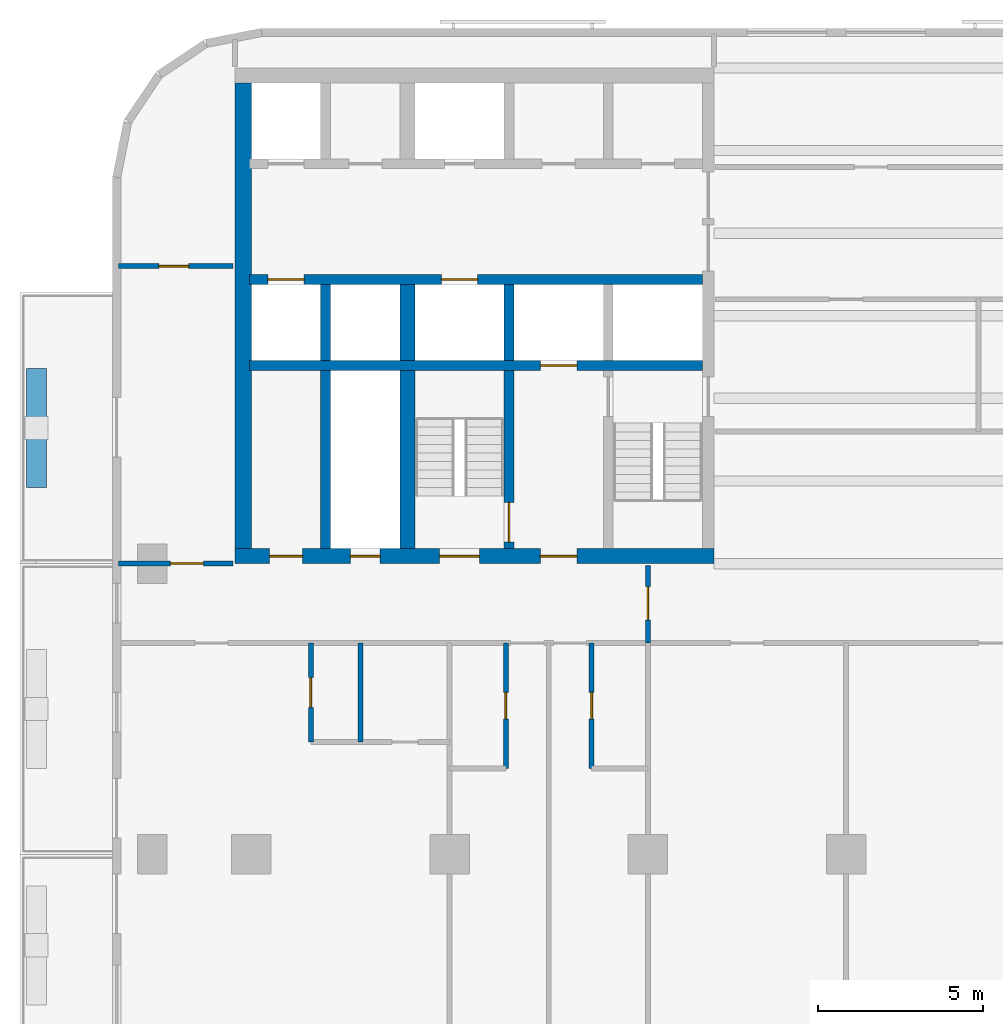
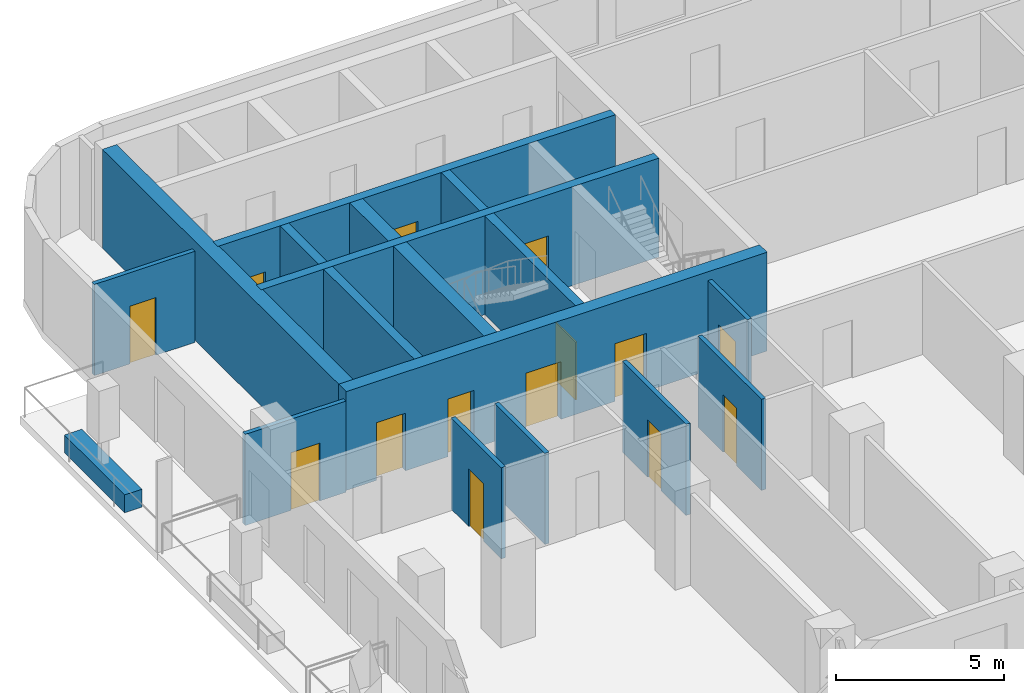
# One storey, part 3 of 11: 18 walls, 14 doors, 14 openings.
"""IFC4 building model written with IfcOpenShell, lengths in metres."""

from ifc_helpers import new_model, si_unit, direction, frame, frame_2d, origin, place, context, subcontext, project, spatial, rectangle, extrude, material, layer, layer_set, type_object, element, fill, save


model = new_model("IFC4")

# Units and contexts
model_context = context("Model", 3, precision=1e-05, world=origin(), true_north=direction((0.0, 1.0)))
body_context = subcontext(model_context, "Body", "Model", "MODEL_VIEW")
ifc_project = project(units=[si_unit("LENGTHUNIT", "METRE"), si_unit("AREAUNIT", "SQUARE_METRE"), si_unit("VOLUMEUNIT", "CUBIC_METRE"), si_unit("PLANEANGLEUNIT", "RADIAN"), si_unit("MASSUNIT", "GRAM", prefix="KILO")], contexts=[model_context])

# Site, building, storey
site_placement = place(None, origin())
site = spatial("IfcSite", under=ifc_project, at=site_placement, CompositionType="ELEMENT")
building_placement = place(site_placement, origin())
building = spatial("IfcBuilding", under=site, at=building_placement, Name="Torana Hotel and Residences", CompositionType="ELEMENT")
storey_placement = place(building_placement, frame((0.0, 0.0, 141.60009765625)))
storey = spatial("IfcBuildingStorey", under=building, at=storey_placement, Name="L36", CompositionType="ELEMENT", Elevation=141.60009765625)

# Wall, openings, doors
ifc_material_1 = material(Name="Concrete C70/85", Category="concrete")
ifc_layer_1 = layer(ifc_material_1, 0.300048828125)
ifc_layer_set_1 = layer_set([ifc_layer_1], Name="CORE WALL 300 C70/85")
wall_type_1 = type_object("IfcWallType", Name="CORE WALL 300 C70/85", PredefinedType="SHEAR", material=ifc_layer_set_1)
wall_1_placement = place(storey_placement, frame((-24.050048828125, -6.39990234375, 0.0), z_axis=(0.0, 0.0, 1.0), x_axis=(1.0, 0.0, 0.0)))
wall_1 = element("IfcWall", 1, at=wall_1_placement, inside=storey, type_object=wall_type_1, Name="Core wall W row-S", PredefinedType="SHEAR", context=body_context, shape_type="SweptSolid", body=[
    extrude(rectangle(XDim=13.699951171875, YDim=0.300048828125, at=frame_2d((6.85009765625, 0.0))), origin(), (0.0, 0.0, 1.0), 3.599853515625),
])
opening_1_placement = place(wall_1_placement, frame((0.550048828125, 0.0, 0.0)))
opening_1 = element("IfcOpeningElement", 2, at=opening_1_placement, cuts=wall_1, Name="Opening LD", PredefinedType="OPENING", context=body_context, shape_type="SweptSolid", body=[
    extrude(rectangle(XDim=1.10009765625, YDim=2.10009765625, at=frame_2d((0.550048828125, 1.050048828125))), frame((0.0, 0.159912109375, 0.0), z_axis=(0.0, -1.0, 0.0), x_axis=(1.0, 0.0, 0.0)), (0.0, 0.0, 1.0), 0.320068359375),
])
opening_2_placement = place(wall_1_placement, frame((5.800048828125, 0.0, 0.0)))
opening_2 = element("IfcOpeningElement", 3, at=opening_2_placement, cuts=wall_1, Name="Opening LD", PredefinedType="OPENING", context=body_context, shape_type="SweptSolid", body=[
    extrude(rectangle(XDim=1.10009765625, YDim=2.10009765625, at=frame_2d((0.550048828125, 1.050048828125))), frame((0.0, 0.159912109375, 0.0), z_axis=(0.0, -1.0, 0.0), x_axis=(1.0, 0.0, 0.0)), (0.0, 0.0, 1.0), 0.320068359375),
])
ifc_material_2 = material(Name="Stainless steel 316", Category="steel")
door_type_1 = type_object("IfcDoorType", Name="LIFT LANDING DOOR LD 1100x2100", OperationType="DOUBLE_DOOR_SLIDING", PredefinedType="USERDEFINED", material=ifc_material_2)
door_1_placement = place(opening_1_placement, origin())
door_1 = element("IfcDoor", 4, at=door_1_placement, inside=storey, type_object=door_type_1, Name="Lift landing door M2 L36", ObjectType="LIFT LANDING DOOR", OperationType="DOUBLE_DOOR_SLIDING", OverallHeight=2.10009765625, OverallWidth=1.10009765625, PredefinedType="USERDEFINED", context=body_context, shape_type="SweptSolid", body=[
    extrude(rectangle(XDim=1.10009765625, YDim=2.10009765625, at=frame_2d((0.550048828125, 1.050048828125))), frame((0.0, 0.02490234375, 0.0), z_axis=(0.0, -1.0, 0.0), x_axis=(1.0, 0.0, 0.0)), (0.0, 0.0, 1.0), 0.050048828125),
])
fill(opening_1, door_1)
door_2_placement = place(opening_2_placement, origin())
door_2 = element("IfcDoor", 5, at=door_2_placement, inside=storey, type_object=door_type_1, Name="Lift landing door SV1 L36", ObjectType="LIFT LANDING DOOR", OperationType="DOUBLE_DOOR_SLIDING", OverallHeight=2.10009765625, OverallWidth=1.10009765625, PredefinedType="USERDEFINED", context=body_context, shape_type="SweptSolid", body=[
    extrude(rectangle(XDim=1.10009765625, YDim=2.10009765625, at=frame_2d((0.550048828125, 1.050048828125))), frame((0.0, 0.02490234375, 0.0), z_axis=(0.0, -1.0, 0.0), x_axis=(1.0, 0.0, 0.0)), (0.0, 0.0, 1.0), 0.050048828125),
])
fill(opening_2, door_2)

# Wall, opening, door
wall_2_placement = place(storey_placement, frame((-24.050048828125, -9.0, 0.0), z_axis=(0.0, 0.0, 1.0), x_axis=(1.0, 0.0, 0.0)))
wall_2 = element("IfcWall", 6, at=wall_2_placement, inside=storey, type_object=wall_type_1, Name="Core wall W band", PredefinedType="SHEAR", context=body_context, shape_type="SweptSolid", body=[
    extrude(rectangle(XDim=13.699951171875, YDim=0.300048828125, at=frame_2d((6.85009765625, 0.0))), origin(), (0.0, 0.0, 1.0), 3.599853515625),
])
opening_3_placement = place(wall_2_placement, frame((8.800048828125, 0.0, 0.0)))
opening_3 = element("IfcOpeningElement", 7, at=opening_3_placement, cuts=wall_2, Name="Opening LD", PredefinedType="OPENING", context=body_context, shape_type="SweptSolid", body=[
    extrude(rectangle(XDim=1.10009765625, YDim=2.10009765625, at=frame_2d((0.550048828125, 1.050048828125))), frame((0.0, 0.159912109375, 0.0), z_axis=(0.0, -1.0, 0.0), x_axis=(1.0, 0.0, 0.0)), (0.0, 0.0, 1.0), 0.320068359375),
])
door_3_placement = place(opening_3_placement, origin())
door_3 = element("IfcDoor", 8, at=door_3_placement, inside=storey, type_object=door_type_1, Name="Lift landing door FF1 L36", ObjectType="LIFT LANDING DOOR", OperationType="DOUBLE_DOOR_SLIDING", OverallHeight=2.10009765625, OverallWidth=1.10009765625, PredefinedType="USERDEFINED", context=body_context, shape_type="SweptSolid", body=[
    extrude(rectangle(XDim=1.10009765625, YDim=2.10009765625, at=frame_2d((0.550048828125, 1.050048828125))), frame((0.0, 0.02490234375, 0.0), z_axis=(0.0, -1.0, 0.0), x_axis=(1.0, 0.0, 0.0)), (0.0, 0.0, 1.0), 0.050048828125),
])
fill(opening_3, door_3)

# Wall
wall_3_placement = place(storey_placement, frame((-16.199951171875, -8.85009765625, 0.0), z_axis=(0.0, 0.0, 1.0), x_axis=(0.0, 1.0, 0.0)))
element("IfcWall", 9, at=wall_3_placement, inside=storey, type_object=wall_type_1, Name="Core wall W x6.05-S", PredefinedType="SHEAR", context=body_context, shape_type="SweptSolid", body=[
    extrude(rectangle(XDim=2.300048828125, YDim=0.300048828125, at=frame_2d((1.14990234375, 0.0))), origin(), (0.0, 0.0, 1.0), 3.599853515625),
])

# Wall, opening, door
wall_4_placement = place(storey_placement, frame((-16.199951171875, -14.550048828125, 0.0), z_axis=(0.0, 0.0, 1.0), x_axis=(0.0, 1.0, 0.0)))
wall_4 = element("IfcWall", 10, at=wall_4_placement, inside=storey, type_object=wall_type_1, Name="Core wall W x6.05-band", PredefinedType="SHEAR", context=body_context, shape_type="SweptSolid", body=[
    extrude(rectangle(XDim=5.400146484375, YDim=0.300048828125, at=frame_2d((2.7001953125, 0.0))), origin(), (0.0, 0.0, 1.0), 3.599853515625),
])
opening_4_placement = place(wall_4_placement, frame((0.199951171875, 0.0, 0.0)))
opening_4 = element("IfcOpeningElement", 11, at=opening_4_placement, cuts=wall_4, Name="Opening L36-13", PredefinedType="OPENING", context=body_context, shape_type="SweptSolid", body=[
    extrude(rectangle(XDim=1.199951171875, YDim=2.10009765625, at=frame_2d((0.60009765625, 1.050048828125))), frame((0.0, 0.159912109375, 0.0), z_axis=(0.0, -1.0, 0.0), x_axis=(1.0, 0.0, 0.0)), (0.0, 0.0, 1.0), 0.320068359375),
])
ifc_material_3 = material(Name="Steel S235", Category="steel")
door_type_2 = type_object("IfcDoorType", Name="STAIR FIRE DOOR D3 1200x2100", OperationType="SINGLE_SWING_LEFT", PredefinedType="DOOR", material=ifc_material_3)
door_4_placement = place(opening_4_placement, origin())
door_4 = element("IfcDoor", 12, at=door_4_placement, inside=storey, type_object=door_type_2, Name="Stair-B-lobby door L36", OperationType="SINGLE_SWING_RIGHT", OverallHeight=2.10009765625, OverallWidth=1.199951171875, PredefinedType="DOOR", context=body_context, shape_type="SweptSolid", body=[
    extrude(rectangle(XDim=1.199951171875, YDim=2.10009765625, at=frame_2d((0.60009765625, 1.050048828125))), frame((0.0, 0.02490234375, 0.0), z_axis=(0.0, -1.0, 0.0), x_axis=(1.0, 0.0, 0.0)), (0.0, 0.0, 1.0), 0.050048828125),
])
fill(opening_4, door_4)

# Walls
wall_5_placement = place(storey_placement, frame((-21.75, -8.85009765625, 0.0), z_axis=(0.0, 0.0, 1.0), x_axis=(0.0, 1.0, 0.0)))
element("IfcWall", 13, at=wall_5_placement, inside=storey, type_object=wall_type_1, Name="Core wall W mm-S", PredefinedType="SHEAR", context=body_context, shape_type="SweptSolid", body=[
    extrude(rectangle(XDim=2.300048828125, YDim=0.300048828125, at=frame_2d((1.14990234375, 0.0))), origin(), (0.0, 0.0, 1.0), 3.599853515625),
])
wall_6_placement = place(storey_placement, frame((-21.75, -14.550048828125, 0.0), z_axis=(0.0, 0.0, 1.0), x_axis=(0.0, 1.0, 0.0)))
element("IfcWall", 14, at=wall_6_placement, inside=storey, type_object=wall_type_1, Name="Core wall W mm-band", PredefinedType="SHEAR", context=body_context, shape_type="SweptSolid", body=[
    extrude(rectangle(XDim=5.400146484375, YDim=0.300048828125, at=frame_2d((2.7001953125, 0.0))), origin(), (0.0, 0.0, 1.0), 3.599853515625),
])

# Wall, openings, doors
ifc_material_4 = material(Name="Concrete C70/85", Category="concrete")
ifc_layer_2 = layer(ifc_material_4, 0.449951171875)
ifc_layer_set_2 = layer_set([ifc_layer_2], Name="CORE WALL 450 C70/85")
wall_type_2 = type_object("IfcWallType", Name="CORE WALL 450 C70/85", PredefinedType="SHEAR", material=ifc_layer_set_2)
wall_7_placement = place(storey_placement, frame((-24.5, -14.77490234375, 0.0), z_axis=(0.0, 0.0, 1.0), x_axis=(1.0, 0.0, 0.0)))
wall_7 = element("IfcWall", 15, at=wall_7_placement, inside=storey, type_object=wall_type_2, Name="Core wall W front", PredefinedType="SHEAR", context=body_context, shape_type="SweptSolid", body=[
    extrude(rectangle(XDim=14.5, YDim=0.449951171875, at=frame_2d((7.25, 0.0))), origin(), (0.0, 0.0, 1.0), 3.599853515625),
])
opening_5_placement = place(wall_7_placement, frame((6.199951171875, 0.0, 0.0)))
opening_5 = element("IfcOpeningElement", 16, at=opening_5_placement, cuts=wall_7, Name="Opening L36-04", PredefinedType="OPENING", context=body_context, shape_type="SweptSolid", body=[
    extrude(rectangle(XDim=1.199951171875, YDim=2.10009765625, at=frame_2d((0.60009765625, 1.050048828125))), frame((0.0, 0.23486328125, 0.0), z_axis=(0.0, -1.0, 0.0), x_axis=(1.0, 0.0, 0.0)), (0.0, 0.0, 1.0), 0.469970703125),
])
opening_6_placement = place(wall_7_placement, frame((9.25, 0.0, 0.0)))
opening_6 = element("IfcOpeningElement", 17, at=opening_6_placement, cuts=wall_7, Name="Opening L36-05", PredefinedType="OPENING", context=body_context, shape_type="SweptSolid", body=[
    extrude(rectangle(XDim=1.10009765625, YDim=2.10009765625, at=frame_2d((0.550048828125, 1.050048828125))), frame((0.0, 0.23486328125, 0.0), z_axis=(0.0, -1.0, 0.0), x_axis=(1.0, 0.0, 0.0)), (0.0, 0.0, 1.0), 0.469970703125),
])
opening_7_placement = place(wall_7_placement, frame((3.5, 0.0, 0.0)))
opening_7 = element("IfcOpeningElement", 18, at=opening_7_placement, cuts=wall_7, Name="Opening L36-06", PredefinedType="OPENING", context=body_context, shape_type="SweptSolid", body=[
    extrude(rectangle(XDim=0.89990234375, YDim=2.10009765625, at=frame_2d((0.449951171875, 1.050048828125))), frame((0.0, 0.23486328125, 0.0), z_axis=(0.0, -1.0, 0.0), x_axis=(1.0, 0.0, 0.0)), (0.0, 0.0, 1.0), 0.469970703125),
])
opening_8_placement = place(wall_7_placement, frame((1.050048828125, 0.0, 0.0)))
opening_8 = element("IfcOpeningElement", 19, at=opening_8_placement, cuts=wall_7, Name="Opening L36-07", PredefinedType="OPENING", context=body_context, shape_type="SweptSolid", body=[
    extrude(rectangle(XDim=1.0, YDim=2.10009765625, at=frame_2d((0.5, 1.050048828125))), frame((0.0, 0.23486328125, 0.0), z_axis=(0.0, -1.0, 0.0), x_axis=(1.0, 0.0, 0.0)), (0.0, 0.0, 1.0), 0.469970703125),
])
ifc_material_5 = material(Name="Steel S235", Category="steel")
door_type_3 = type_object("IfcDoorType", Name="CORE ROOM FIRE DOOR D14 1000x2100", OperationType="SINGLE_SWING_LEFT", PredefinedType="DOOR", material=ifc_material_5)
door_5_placement = place(opening_8_placement, origin())
door_5 = element("IfcDoor", 20, at=door_5_placement, inside=storey, type_object=door_type_3, Name="M-Room door L36", OperationType="SINGLE_SWING_RIGHT", OverallHeight=2.10009765625, OverallWidth=1.0, PredefinedType="DOOR", context=body_context, shape_type="SweptSolid", body=[
    extrude(rectangle(XDim=1.0, YDim=2.10009765625, at=frame_2d((0.5, 1.050048828125))), frame((0.0, 0.02490234375, 0.0), z_axis=(0.0, -1.0, 0.0), x_axis=(1.0, 0.0, 0.0)), (0.0, 0.0, 1.0), 0.050048828125),
])
fill(opening_8, door_5)
ifc_material_6 = material(Name="Steel S235", Category="steel")
door_type_4 = type_object("IfcDoorType", Name="FIRE-FIGHTING LOBBY DOOR D8 1100x2100", OperationType="SINGLE_SWING_LEFT", PredefinedType="DOOR", material=ifc_material_6)
door_6_placement = place(opening_6_placement, origin())
door_6 = element("IfcDoor", 21, at=door_6_placement, inside=storey, type_object=door_type_4, Name="FF-lobby door L36", OperationType="SINGLE_SWING_RIGHT", OverallHeight=2.10009765625, OverallWidth=1.10009765625, PredefinedType="DOOR", context=body_context, shape_type="SweptSolid", body=[
    extrude(rectangle(XDim=1.10009765625, YDim=2.10009765625, at=frame_2d((0.550048828125, 1.050048828125))), frame((0.0, 0.02490234375, 0.0), z_axis=(0.0, -1.0, 0.0), x_axis=(1.0, 0.0, 0.0)), (0.0, 0.0, 1.0), 0.050048828125),
])
fill(opening_6, door_6)
ifc_material_7 = material(Name="Steel S235", Category="steel")
door_type_5 = type_object("IfcDoorType", Name="RISER ACCESS DOOR D5 900x2100", OperationType="SINGLE_SWING_LEFT", PredefinedType="DOOR", material=ifc_material_7)
door_7_placement = place(opening_7_placement, origin())
door_7 = element("IfcDoor", 22, at=door_7_placement, inside=storey, type_object=door_type_5, Name="M-Riser door L36", OperationType="SINGLE_SWING_RIGHT", OverallHeight=2.10009765625, OverallWidth=0.89990234375, PredefinedType="DOOR", context=body_context, shape_type="SweptSolid", body=[
    extrude(rectangle(XDim=0.89990234375, YDim=2.10009765625, at=frame_2d((0.449951171875, 1.050048828125))), frame((0.0, 0.02490234375, 0.0), z_axis=(0.0, -1.0, 0.0), x_axis=(1.0, 0.0, 0.0)), (0.0, 0.0, 1.0), 0.050048828125),
])
fill(opening_7, door_7)
door_8_placement = place(opening_5_placement, origin())
door_8 = element("IfcDoor", 23, at=door_8_placement, inside=storey, type_object=door_type_2, Name="Stair-B door L36", OperationType="SINGLE_SWING_RIGHT", OverallHeight=2.10009765625, OverallWidth=1.199951171875, PredefinedType="DOOR", context=body_context, shape_type="SweptSolid", body=[
    extrude(rectangle(XDim=1.199951171875, YDim=2.10009765625, at=frame_2d((0.60009765625, 1.050048828125))), frame((0.0, 0.02490234375, 0.0), z_axis=(0.0, -1.0, 0.0), x_axis=(1.0, 0.0, 0.0)), (0.0, 0.0, 1.0), 0.050048828125),
])
fill(opening_5, door_8)

# Walls
wall_8_placement = place(storey_placement, frame((-19.27490234375, -8.85009765625, 0.0), z_axis=(0.0, 0.0, 1.0), x_axis=(0.0, 1.0, 0.0)))
element("IfcWall", 24, at=wall_8_placement, inside=storey, type_object=wall_type_2, Name="Core wall W hm-S", PredefinedType="SHEAR", context=body_context, shape_type="SweptSolid", body=[
    extrude(rectangle(XDim=2.300048828125, YDim=0.449951171875, at=frame_2d((1.14990234375, 0.0))), origin(), (0.0, 0.0, 1.0), 3.599853515625),
])
wall_9_placement = place(storey_placement, frame((-19.27490234375, -14.550048828125, 0.0), z_axis=(0.0, 0.0, 1.0), x_axis=(0.0, 1.0, 0.0)))
element("IfcWall", 25, at=wall_9_placement, inside=storey, type_object=wall_type_2, Name="Core wall W hm-band", PredefinedType="SHEAR", context=body_context, shape_type="SweptSolid", body=[
    extrude(rectangle(XDim=5.400146484375, YDim=0.449951171875, at=frame_2d((2.7001953125, 0.0))), origin(), (0.0, 0.0, 1.0), 3.599853515625),
])
ifc_material_8 = material(Name="Concrete C70/85", Category="concrete")
ifc_layer_3 = layer(ifc_material_8, 0.5)
ifc_layer_set_3 = layer_set([ifc_layer_3], Name="CORE WALL 500 C70/85")
wall_type_3 = type_object("IfcWallType", Name="CORE WALL 500 C70/85", PredefinedType="SHEAR", material=ifc_layer_set_3)
wall_10_placement = place(storey_placement, frame((-24.25, -14.550048828125, 0.0), z_axis=(0.0, 0.0, 1.0), x_axis=(0.0, 1.0, 0.0)))
element("IfcWall", 26, at=wall_10_placement, inside=storey, type_object=wall_type_3, Name="Core wall W outer", PredefinedType="SHEAR", context=body_context, shape_type="SweptSolid", body=[
    extrude(rectangle(XDim=14.10009765625, YDim=0.5, at=frame_2d((7.050048828125, 0.0))), origin(), (0.0, 0.0, 1.0), 3.599853515625),
])

# Wall, opening, door
ifc_material_9 = material(Name="Gypsum plaster")
ifc_layer_4 = layer(ifc_material_9, 0.014892578125, Name="Plaster", Category="finish")
ifc_material_10 = material(Name="Concrete blockwork", Category="masonry")
ifc_layer_5 = layer(ifc_material_10, 0.1201171875, Name="Blockwork", Category="structure")
ifc_layer_6 = layer(ifc_material_9, 0.014892578125, Name="Plaster", Category="finish")
ifc_layer_set_4 = layer_set([ifc_layer_4, ifc_layer_5, ifc_layer_6], Name="FIRE PARTITION 150 BLOCKWORK")
wall_type_4 = type_object("IfcWallType", Name="FIRE PARTITION 150 BLOCKWORK", PredefinedType="PARTITIONING", material=ifc_layer_set_4)
wall_11_placement = place(storey_placement, frame((-12.0, -17.39990234375, 0.0), z_axis=(0.0, 0.0, 1.0), x_axis=(0.0, 1.0, 0.0)))
wall_11 = element("IfcWall", 27, at=wall_11_placement, inside=storey, type_object=wall_type_4, Name="Partition L36", PredefinedType="PARTITIONING", context=body_context, shape_type="SweptSolid", body=[
    extrude(rectangle(XDim=2.349853515625, YDim=0.14990234375, at=frame_2d((1.1748046875, 0.0))), origin(), (0.0, 0.0, 1.0), 3.31982421875),
])
opening_9_placement = place(wall_11_placement, frame((0.699951171875, 0.0, 0.0)))
opening_9 = element("IfcOpeningElement", 28, at=opening_9_placement, cuts=wall_11, Name="Opening L36-27", PredefinedType="OPENING", context=body_context, shape_type="SweptSolid", body=[
    extrude(rectangle(XDim=1.0, YDim=2.10009765625, at=frame_2d((0.5, 1.050048828125))), frame((0.0, 0.0849609375, 0.0), z_axis=(0.0, -1.0, 0.0), x_axis=(1.0, 0.0, 0.0)), (0.0, 0.0, 1.0), 0.169921875),
])
ifc_material_11 = material(Name="Steel S235", Category="steel")
door_type_6 = type_object("IfcDoorType", Name="ENTRY FIRE DOOR D6 1000x2100", OperationType="SINGLE_SWING_LEFT", PredefinedType="DOOR", material=ifc_material_11)
door_9_placement = place(opening_9_placement, origin())
door_9 = element("IfcDoor", 29, at=door_9_placement, inside=storey, type_object=door_type_6, Name="Door L36", OperationType="SINGLE_SWING_RIGHT", OverallHeight=2.10009765625, OverallWidth=1.0, PredefinedType="DOOR", context=body_context, shape_type="SweptSolid", body=[
    extrude(rectangle(XDim=1.0, YDim=2.10009765625, at=frame_2d((0.5, 1.050048828125))), frame((0.0, 0.02490234375, 0.0), z_axis=(0.0, -1.0, 0.0), x_axis=(1.0, 0.0, 0.0)), (0.0, 0.0, 1.0), 0.050048828125),
])
fill(opening_9, door_9)

wall_12_placement = place(storey_placement, frame((-28.02001953125, -15.0, 0.0), z_axis=(0.0, 0.0, 1.0), x_axis=(1.0, 0.0, 0.0)))
wall_12 = element("IfcWall", 30, at=wall_12_placement, inside=storey, type_object=wall_type_4, Name="Partition L36", PredefinedType="PARTITIONING", context=body_context, shape_type="SweptSolid", body=[
    extrude(rectangle(XDim=3.469970703125, YDim=0.14990234375, at=frame_2d((1.73486328125, 0.0))), origin(), (0.0, 0.0, 1.0), 3.31982421875),
])
opening_10_placement = place(wall_12_placement, frame((1.570068359375, 0.0, 0.0)))
opening_10 = element("IfcOpeningElement", 31, at=opening_10_placement, cuts=wall_12, Name="Opening L36-31", PredefinedType="OPENING", context=body_context, shape_type="SweptSolid", body=[
    extrude(rectangle(XDim=1.0, YDim=2.10009765625, at=frame_2d((0.5, 1.050048828125))), frame((0.0, 0.0849609375, 0.0), z_axis=(0.0, -1.0, 0.0), x_axis=(1.0, 0.0, 0.0)), (0.0, 0.0, 1.0), 0.169921875),
])
door_10_placement = place(opening_10_placement, origin())
door_10 = element("IfcDoor", 32, at=door_10_placement, inside=storey, type_object=door_type_3, Name="Door L36", OperationType="SINGLE_SWING_RIGHT", OverallHeight=2.10009765625, OverallWidth=1.0, PredefinedType="DOOR", context=body_context, shape_type="SweptSolid", body=[
    extrude(rectangle(XDim=1.0, YDim=2.10009765625, at=frame_2d((0.5, 1.050048828125))), frame((0.0, 0.02490234375, 0.0), z_axis=(0.0, -1.0, 0.0), x_axis=(1.0, 0.0, 0.0)), (0.0, 0.0, 1.0), 0.050048828125),
])
fill(opening_10, door_10)

ifc_material_12 = material(Name="Gypsum plasterboard")
ifc_layer_7 = layer(ifc_material_12, 0.012451171875, Name="Plasterboard", Category="finish")
ifc_layer_8 = layer(ifc_material_12, 0.012451171875, Name="Plasterboard", Category="finish")
ifc_material_13 = material(Name="Steel S280GD", Category="steel")
ifc_layer_9 = layer(ifc_material_13, 0.10009765625, Name="Steel studs with mineral wool", Category="insulation")
ifc_layer_10 = layer(ifc_material_12, 0.012451171875, Name="Plasterboard", Category="finish")
ifc_layer_11 = layer(ifc_material_12, 0.012451171875, Name="Plasterboard", Category="finish")
ifc_layer_set_5 = layer_set([ifc_layer_7, ifc_layer_8, ifc_layer_9, ifc_layer_10, ifc_layer_11], Name="PARTITION 150 PLASTERBOARD")
wall_type_5 = type_object("IfcWallType", Name="PARTITION 150 PLASTERBOARD", PredefinedType="PARTITIONING", material=ifc_layer_set_5)
wall_13_placement = place(storey_placement, frame((-13.699951171875, -21.199951171875, 0.0), z_axis=(0.0, 0.0, 1.0), x_axis=(0.0, 1.0, 0.0)))
wall_13 = element("IfcWall", 33, at=wall_13_placement, inside=storey, type_object=wall_type_5, Name="Partition L36", PredefinedType="PARTITIONING", context=body_context, shape_type="SweptSolid", body=[
    extrude(rectangle(XDim=3.800048828125, YDim=0.14990234375, at=frame_2d((1.89990234375, 0.0))), origin(), (0.0, 0.0, 1.0), 3.31982421875),
])
opening_11_placement = place(wall_13_placement, frame((1.5, 0.0, 0.0)))
opening_11 = element("IfcOpeningElement", 34, at=opening_11_placement, cuts=wall_13, Name="Opening L36-47", PredefinedType="OPENING", context=body_context, shape_type="SweptSolid", body=[
    extrude(rectangle(XDim=0.800048828125, YDim=2.10009765625, at=frame_2d((0.39990234375, 1.050048828125))), frame((0.0, 0.0849609375, 0.0), z_axis=(0.0, -1.0, 0.0), x_axis=(1.0, 0.0, 0.0)), (0.0, 0.0, 1.0), 0.169921875),
])
ifc_material_14 = material(Name="Timber door, painted", Category="wood")
door_type_7 = type_object("IfcDoorType", Name="BATH DOOR D13 800x2100", OperationType="SINGLE_SWING_LEFT", PredefinedType="DOOR", material=ifc_material_14)
door_11_placement = place(opening_11_placement, origin())
door_11 = element("IfcDoor", 35, at=door_11_placement, inside=storey, type_object=door_type_7, Name="Door L36", OperationType="SINGLE_SWING_RIGHT", OverallHeight=2.10009765625, OverallWidth=0.800048828125, PredefinedType="DOOR", context=body_context, shape_type="SweptSolid", body=[
    extrude(rectangle(XDim=0.800048828125, YDim=2.10009765625, at=frame_2d((0.39990234375, 1.050048828125))), frame((0.0, 0.02490234375, 0.0), z_axis=(0.0, -1.0, 0.0), x_axis=(1.0, 0.0, 0.0)), (0.0, 0.0, 1.0), 0.050048828125),
])
fill(opening_11, door_11)

wall_14_placement = place(storey_placement, frame((-16.300048828125, -21.199951171875, 0.0), z_axis=(0.0, 0.0, 1.0), x_axis=(0.0, 1.0, 0.0)))
wall_14 = element("IfcWall", 36, at=wall_14_placement, inside=storey, type_object=wall_type_5, Name="Partition L36", PredefinedType="PARTITIONING", context=body_context, shape_type="SweptSolid", body=[
    extrude(rectangle(XDim=3.800048828125, YDim=0.14990234375, at=frame_2d((1.89990234375, 0.0))), origin(), (0.0, 0.0, 1.0), 3.31982421875),
])
opening_12_placement = place(wall_14_placement, frame((1.5, 0.0, 0.0)))
opening_12 = element("IfcOpeningElement", 37, at=opening_12_placement, cuts=wall_14, Name="Opening L36-48", PredefinedType="OPENING", context=body_context, shape_type="SweptSolid", body=[
    extrude(rectangle(XDim=0.800048828125, YDim=2.10009765625, at=frame_2d((0.39990234375, 1.050048828125))), frame((0.0, 0.0849609375, 0.0), z_axis=(0.0, -1.0, 0.0), x_axis=(1.0, 0.0, 0.0)), (0.0, 0.0, 1.0), 0.169921875),
])
door_12_placement = place(opening_12_placement, origin())
door_12 = element("IfcDoor", 38, at=door_12_placement, inside=storey, type_object=door_type_7, Name="Door L36", OperationType="SINGLE_SWING_RIGHT", OverallHeight=2.10009765625, OverallWidth=0.800048828125, PredefinedType="DOOR", context=body_context, shape_type="SweptSolid", body=[
    extrude(rectangle(XDim=0.800048828125, YDim=2.10009765625, at=frame_2d((0.39990234375, 1.050048828125))), frame((0.0, 0.02490234375, 0.0), z_axis=(0.0, -1.0, 0.0), x_axis=(1.0, 0.0, 0.0)), (0.0, 0.0, 1.0), 0.050048828125),
])
fill(opening_12, door_12)

# Wall
wall_15_placement = place(storey_placement, frame((-20.699951171875, -20.39990234375, 0.0), z_axis=(0.0, 0.0, 1.0), x_axis=(0.0, 1.0, 0.0)))
element("IfcWall", 39, at=wall_15_placement, inside=storey, type_object=wall_type_5, Name="Partition L36", PredefinedType="PARTITIONING", context=body_context, shape_type="SweptSolid", body=[
    extrude(rectangle(XDim=3.0, YDim=0.14990234375, at=frame_2d((1.5, 0.0))), origin(), (0.0, 0.0, 1.0), 3.31982421875),
])

# Wall, opening, door
wall_16_placement = place(storey_placement, frame((-22.199951171875, -20.39990234375, 0.0), z_axis=(0.0, 0.0, 1.0), x_axis=(0.0, 1.0, 0.0)))
wall_16 = element("IfcWall", 40, at=wall_16_placement, inside=storey, type_object=wall_type_5, Name="Partition L36", PredefinedType="PARTITIONING", context=body_context, shape_type="SweptSolid", body=[
    extrude(rectangle(XDim=3.0, YDim=0.14990234375, at=frame_2d((1.5, 0.0))), origin(), (0.0, 0.0, 1.0), 3.31982421875),
])
opening_13_placement = place(wall_16_placement, frame((1.050048828125, 0.0, 0.0)))
opening_13 = element("IfcOpeningElement", 41, at=opening_13_placement, cuts=wall_16, Name="Opening L36-51", PredefinedType="OPENING", context=body_context, shape_type="SweptSolid", body=[
    extrude(rectangle(XDim=0.89990234375, YDim=2.10009765625, at=frame_2d((0.449951171875, 1.050048828125))), frame((0.0, 0.0849609375, 0.0), z_axis=(0.0, -1.0, 0.0), x_axis=(1.0, 0.0, 0.0)), (0.0, 0.0, 1.0), 0.169921875),
])
ifc_material_15 = material(Name="Timber door, oiled ash", Category="wood")
door_type_8 = type_object("IfcDoorType", Name="ROOM DOOR D7 900x2100", OperationType="SINGLE_SWING_LEFT", PredefinedType="DOOR", material=ifc_material_15)
door_13_placement = place(opening_13_placement, origin())
door_13 = element("IfcDoor", 42, at=door_13_placement, inside=storey, type_object=door_type_8, Name="Door L36", OperationType="SINGLE_SWING_LEFT", OverallHeight=2.10009765625, OverallWidth=0.89990234375, PredefinedType="DOOR", context=body_context, shape_type="SweptSolid", body=[
    extrude(rectangle(XDim=0.89990234375, YDim=2.10009765625, at=frame_2d((0.449951171875, 1.050048828125))), frame((0.0, 0.02490234375, 0.0), z_axis=(0.0, -1.0, 0.0), x_axis=(1.0, 0.0, 0.0)), (0.0, 0.0, 1.0), 0.050048828125),
])
fill(opening_13, door_13)

# Wall
ifc_material_16 = material(Name="Concrete C40/50 precast", Category="concrete")
ifc_layer_12 = layer(ifc_material_16, 0.10009765625, Name="Planter shell", Category="structure")
ifc_material_17 = material(Name="Root resistant membrane")
ifc_layer_13 = layer(ifc_material_17, 0.00390625, Name="Waterproofing membrane", Category="membrane")
ifc_material_18 = material(Name="Drainage board with filter fleece")
ifc_layer_14 = layer(ifc_material_18, 0.02001953125, Name="Drainage board", Category="drainage")
ifc_material_19 = material(Name="Growing medium")
ifc_layer_15 = layer(ifc_material_19, 0.47607421875, Name="Planting substrate", Category="soil")
ifc_layer_set_6 = layer_set([ifc_layer_12, ifc_layer_13, ifc_layer_14, ifc_layer_15], Name="PL1 BALCONY PLANTER 600")
wall_type_6 = type_object("IfcWallType", Name="PL1 BALCONY PLANTER 600", PredefinedType="USERDEFINED", material=ifc_layer_set_6)
wall_17_placement = place(storey_placement, frame((-30.5, -12.699951171875, 0.0), z_axis=(0.0, 0.0, 1.0), x_axis=(0.0, 1.0, 0.0)))
element("IfcWall", 43, at=wall_17_placement, inside=storey, type_object=wall_type_6, Name="Planter 11", ObjectType="PLANTER", PredefinedType="USERDEFINED", context=body_context, shape_type="SweptSolid", body=[
    extrude(rectangle(XDim=3.599853515625, YDim=0.60009765625, at=frame_2d((1.7998046875, 0.0))), origin(), (0.0, 0.0, 1.0), 0.64990234375),
])

# Wall, opening, door
ifc_material_20 = material(Name="Ceramic tile on adhesive")
ifc_layer_16 = layer(ifc_material_20, 0.010009765625, Name="Wall tile", Category="finish")
ifc_material_21 = material(Name="Cement render")
ifc_layer_17 = layer(ifc_material_21, 0.010009765625, Name="Render", Category="finish")
ifc_layer_18 = layer(ifc_material_10, 0.110107421875, Name="Blockwork", Category="structure")
ifc_layer_19 = layer(ifc_material_21, 0.010009765625, Name="Render", Category="finish")
ifc_layer_20 = layer(ifc_material_20, 0.010009765625, Name="Wall tile", Category="finish")
ifc_layer_set_7 = layer_set([ifc_layer_16, ifc_layer_17, ifc_layer_18, ifc_layer_19, ifc_layer_20], Name="WC PARTITION 150")
wall_type_7 = type_object("IfcWallType", Name="WC PARTITION 150", PredefinedType="PLUMBINGWALL", material=ifc_layer_set_7)
wall_18_placement = place(storey_placement, frame((-28.02001953125, -6.0, 0.0), z_axis=(0.0, 0.0, 1.0), x_axis=(1.0, 0.0, 0.0)))
wall_18 = element("IfcWall", 44, at=wall_18_placement, inside=storey, type_object=wall_type_7, Name="Partition L36", PredefinedType="PLUMBINGWALL", context=body_context, shape_type="SweptSolid", body=[
    extrude(rectangle(XDim=3.469970703125, YDim=0.14990234375, at=frame_2d((1.73486328125, 0.0))), origin(), (0.0, 0.0, 1.0), 3.31982421875),
])
opening_14_placement = place(wall_18_placement, frame((1.219970703125, 0.0, 0.0)))
opening_14 = element("IfcOpeningElement", 45, at=opening_14_placement, cuts=wall_18, Name="Opening L36-54", PredefinedType="OPENING", context=body_context, shape_type="SweptSolid", body=[
    extrude(rectangle(XDim=0.89990234375, YDim=2.10009765625, at=frame_2d((0.449951171875, 1.050048828125))), frame((0.0, 0.0849609375, 0.0), z_axis=(0.0, -1.0, 0.0), x_axis=(1.0, 0.0, 0.0)), (0.0, 0.0, 1.0), 0.169921875),
])
door_14_placement = place(opening_14_placement, origin())
door_14 = element("IfcDoor", 46, at=door_14_placement, inside=storey, type_object=door_type_8, Name="Door L36", OperationType="SINGLE_SWING_RIGHT", OverallHeight=2.10009765625, OverallWidth=0.89990234375, PredefinedType="DOOR", context=body_context, shape_type="SweptSolid", body=[
    extrude(rectangle(XDim=0.89990234375, YDim=2.10009765625, at=frame_2d((0.449951171875, 1.050048828125))), frame((0.0, 0.02490234375, 0.0), z_axis=(0.0, -1.0, 0.0), x_axis=(1.0, 0.0, 0.0)), (0.0, 0.0, 1.0), 0.050048828125),
])
fill(opening_14, door_14)

save(model, "model.ifc")
